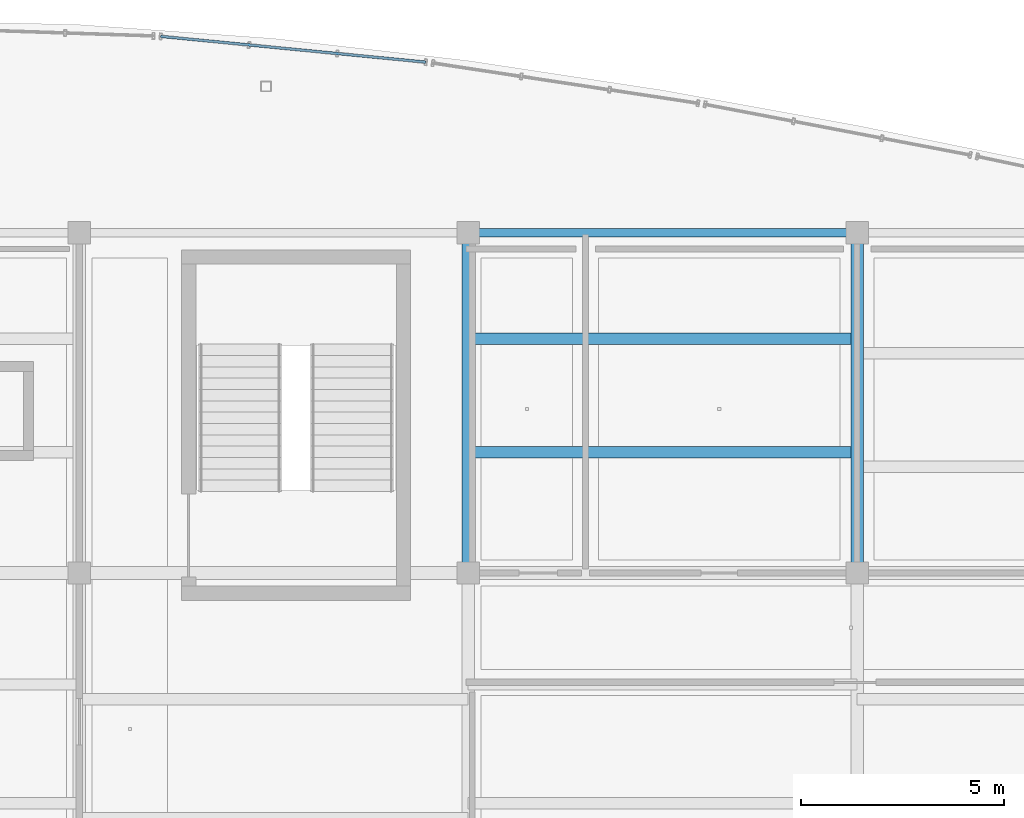
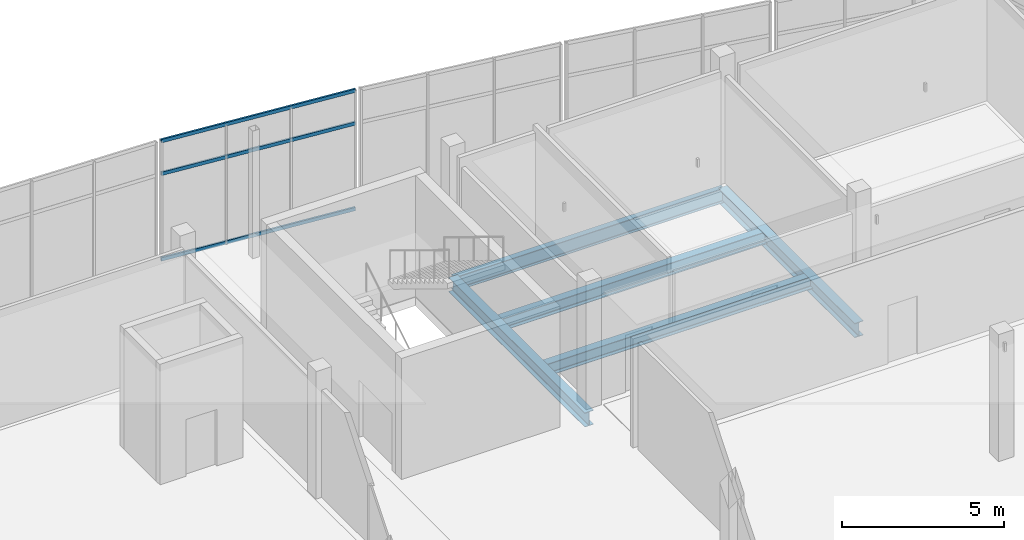
# One storey, part 102 of 157: 5 beams, 3 members, 1 element without a shape of its own.
"""IFC4 building model written with IfcOpenShell, lengths in metres."""

from ifc_helpers import new_model, si_unit, direction, frame, origin, origin_2d, place, context, subcontext, project, spatial, hollow_rectangle, i_section, extrude, material, layer, layer_set, material_profile, profile_set, type_object, element, aggregate, save


model = new_model("IFC4")

# Units and contexts
model_context = context("Model", 3, precision=1e-05, world=origin(), true_north=direction((0.0, 1.0)))
body_context = subcontext(model_context, "Body", "Model", "MODEL_VIEW")
ifc_project = project(units=[si_unit("LENGTHUNIT", "METRE"), si_unit("AREAUNIT", "SQUARE_METRE"), si_unit("VOLUMEUNIT", "CUBIC_METRE"), si_unit("PLANEANGLEUNIT", "RADIAN"), si_unit("MASSUNIT", "GRAM", prefix="KILO")], contexts=[model_context])

# Site, building, storey
site_placement = place(None, origin())
site = spatial("IfcSite", under=ifc_project, at=site_placement, CompositionType="ELEMENT")
building_placement = place(site_placement, origin())
building = spatial("IfcBuilding", under=site, at=building_placement, Name="Chalmorin Arch Market", CompositionType="ELEMENT")
storey_placement = place(building_placement, frame((0.0, 0.0, 4.800048828125)))
storey = spatial("IfcBuildingStorey", under=building, at=storey_placement, Name="L01", CompositionType="ELEMENT", Elevation=4.800048828125)

# Curtain wall, members
ifc_material_1 = material(Name="Aluminium 6063-T6", Category="aluminium")
ifc_layer = layer(ifc_material_1, 0.159912109375)
ifc_layer_set = layer_set([ifc_layer], Name="Aluminium 6063-T6")
curtain_wall_type = type_object("IfcCurtainWallType", Name="CulinaryStudioCurtainWall-CW3-6570x4520", PredefinedType="NOTDEFINED", material=ifc_layer_set)
curtain_wall_placement = place(storey_placement, origin())
curtain_wall = element("IfcCurtainWall", 1, at=curtain_wall_placement, inside=storey, type_object=curtain_wall_type, Name="CW-03-139", PredefinedType="NOTDEFINED")
ifc_material_profile_1 = material_profile(ifc_material_1, hollow_rectangle(XDim=0.06494140625, YDim=0.1298828125, WallThickness=0.00390625, at=origin_2d()), Name="ALU65X130X4")
ifc_profile_set_1 = profile_set([ifc_material_profile_1], Name="Aluminium 6063-T6")
member_type = type_object("IfcMemberType", Name="CurtainWallTransom-65x130", PredefinedType="USERDEFINED", material=ifc_profile_set_1)
member_1_placement = place(storey_placement, frame((88.40966796875, 122.84619140625, 0.034912109375), z_axis=(0.995298859057, -0.096851335357, 0.0), x_axis=(0.096851335357, 0.995298859057, 0.0)))
member_1 = element("IfcMember", 2, at=member_1_placement, type_object=member_type, Name="TR-139-01", ObjectType="TRANSOM", PredefinedType="USERDEFINED", context=body_context, shape_type="SweptSolid", body=[
    extrude(hollow_rectangle(XDim=0.06494140625, YDim=0.1298828125, WallThickness=0.00390625, at=origin_2d()), origin(), (0.0, 0.0, 1.0), 6.57177734375),
])
member_2_placement = place(storey_placement, frame((88.40966796875, 122.84619140625, 3.25439453125), z_axis=(0.995298859057, -0.096851335357, 0.0), x_axis=(0.096851335357, 0.995298859057, 0.0)))
member_2 = element("IfcMember", 3, at=member_2_placement, type_object=member_type, Name="TR-139-02", ObjectType="TRANSOM", PredefinedType="USERDEFINED", context=body_context, shape_type="SweptSolid", body=[
    extrude(hollow_rectangle(XDim=0.06494140625, YDim=0.1298828125, WallThickness=0.00390625, at=origin_2d()), origin(), (0.0, 0.0, 1.0), 6.57177734375),
])
member_3_placement = place(storey_placement, frame((88.40966796875, 122.84619140625, 4.48486328125), z_axis=(0.995298859057, -0.096851335357, 0.0), x_axis=(0.096851335357, 0.995298859057, 0.0)))
member_3 = element("IfcMember", 4, at=member_3_placement, type_object=member_type, Name="TR-139-03", ObjectType="TRANSOM", PredefinedType="USERDEFINED", context=body_context, shape_type="SweptSolid", body=[
    extrude(hollow_rectangle(XDim=0.06494140625, YDim=0.1298828125, WallThickness=0.00390625, at=origin_2d()), origin(), (0.0, 0.0, 1.0), 6.57177734375),
])
aggregate(curtain_wall, [member_1, member_2, member_3])

# Beams
ifc_material_2 = material(Name="Steel A992 Grade 50", Category="steel")
ifc_material_profile_2 = material_profile(ifc_material_2, i_section(OverallWidth=0.31201171875, OverallDepth=0.54296875, WebThickness=0.0126953125, FlangeThickness=0.020263671875, FilletRadius=0.02197265625, at=origin_2d()), Name="W21X101")
ifc_profile_set_2 = profile_set([ifc_material_profile_2], Name="Steel A992 Grade 50")
beam_type_1 = type_object("IfcBeamType", Name="KitchenSteelGirder-W21X101", PredefinedType="BEAM", material=ifc_profile_set_2)
for number, where, z_axis, x_axis, name in (
    (5, (96.0, 109.60009765625, -0.593505859375), (0.0, 1.0, 0.0), (-1.0, 0.0, 0.0), "BG-W21C-0937"),
    (6, (105.60009765625, 109.60009765625, -0.593505859375), (0.0, 1.0, 0.0), (-1.0, 0.0, 0.0), "BG-W21C-0948"),
):
    element("IfcBeam", number, at=place(storey_placement, frame(where, z_axis=z_axis, x_axis=x_axis)), inside=storey, type_object=beam_type_1, Name=name, PredefinedType="BEAM", context=body_context, shape_type="SweptSolid", body=[
        extrude(i_section(OverallWidth=0.31201171875, OverallDepth=0.54296875, WebThickness=0.0126953125, FlangeThickness=0.020263671875, FilletRadius=0.02197265625, at=origin_2d()), origin(), (0.0, 0.0, 1.0), 8.39990234375),
    ])
ifc_material_profile_3 = material_profile(ifc_material_2, i_section(OverallWidth=0.208984375, OverallDepth=0.532958984375, WebThickness=0.01025390625, FlangeThickness=0.015625, FilletRadius=0.02197265625, at=origin_2d()), Name="W21X62")
ifc_profile_set_3 = profile_set([ifc_material_profile_3], Name="Steel A992 Grade 50")
beam_type_2 = type_object("IfcBeamType", Name="PerimeterSpandrelBeam-W21X62", PredefinedType="SPANDREL", material=ifc_profile_set_3)
beam_placement = place(storey_placement, frame((96.0, 118.0, -0.588623046875), z_axis=(1.0, 0.0, 0.0), x_axis=(0.0, 1.0, 0.0)))
element("IfcBeam", 7, at=beam_placement, inside=storey, type_object=beam_type_2, Name="SP-W21-0947", PredefinedType="SPANDREL", context=body_context, shape_type="SweptSolid", body=[
    extrude(i_section(OverallWidth=0.208984375, OverallDepth=0.532958984375, WebThickness=0.01025390625, FlangeThickness=0.015625, FilletRadius=0.02197265625, at=origin_2d()), origin(), (0.0, 0.0, 1.0), 9.60009765625),
])
ifc_material_profile_4 = material_profile(ifc_material_2, i_section(OverallWidth=0.280029296875, OverallDepth=0.462890625, WebThickness=0.0107421875, FlangeThickness=0.017333984375, FilletRadius=0.02001953125, at=origin_2d()), Name="W18X76")
ifc_profile_set_4 = profile_set([ifc_material_profile_4], Name="Steel A992 Grade 50")
beam_type_3 = type_object("IfcBeamType", Name="WorkshopSteelBeam-W18X76", PredefinedType="BEAM", material=ifc_profile_set_4)
for number, where, z_axis, x_axis, name in (
    (8, (96.0, 112.580078125, -0.553466796875), (1.0, 0.0, 0.0), (0.0, 1.0, 0.0), "BM-W18C-1012"),
    (9, (96.0, 115.3798828125, -0.553466796875), (1.0, 0.0, 0.0), (0.0, 1.0, 0.0), "BM-W18C-1013"),
):
    element("IfcBeam", number, at=place(storey_placement, frame(where, z_axis=z_axis, x_axis=x_axis)), inside=storey, type_object=beam_type_3, Name=name, PredefinedType="BEAM", context=body_context, shape_type="SweptSolid", body=[
        extrude(i_section(OverallWidth=0.280029296875, OverallDepth=0.462890625, WebThickness=0.0107421875, FlangeThickness=0.017333984375, FilletRadius=0.02001953125, at=origin_2d()), origin(), (0.0, 0.0, 1.0), 9.60009765625),
    ])

save(model, "model.ifc")
